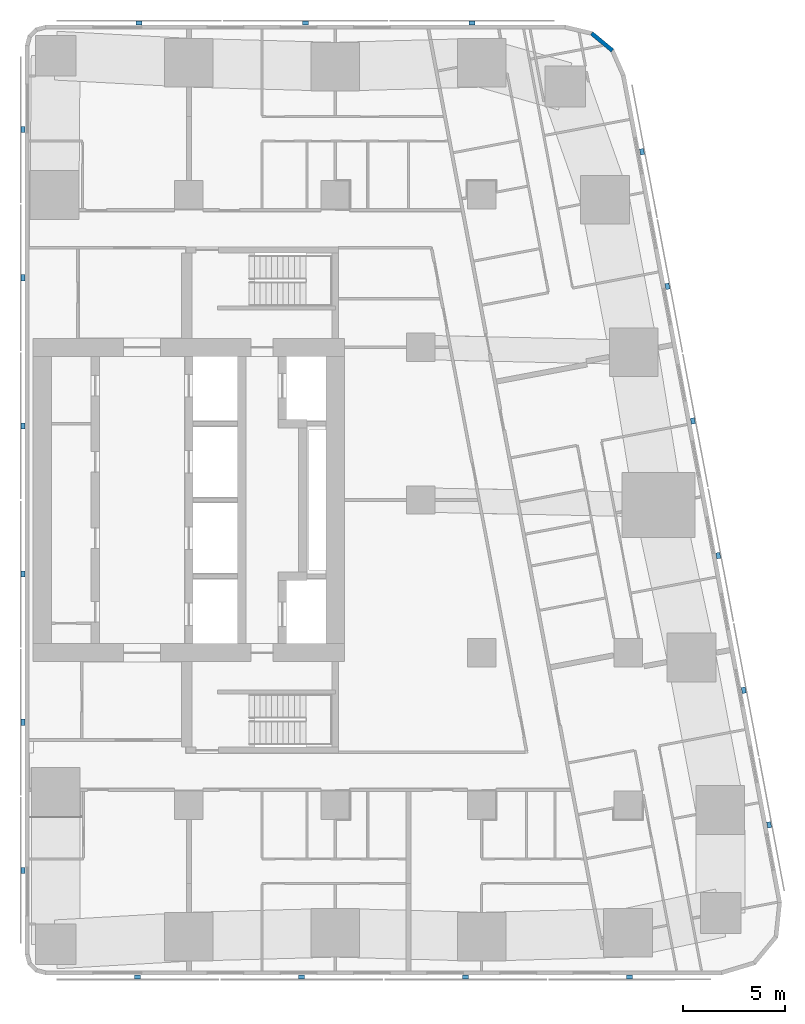
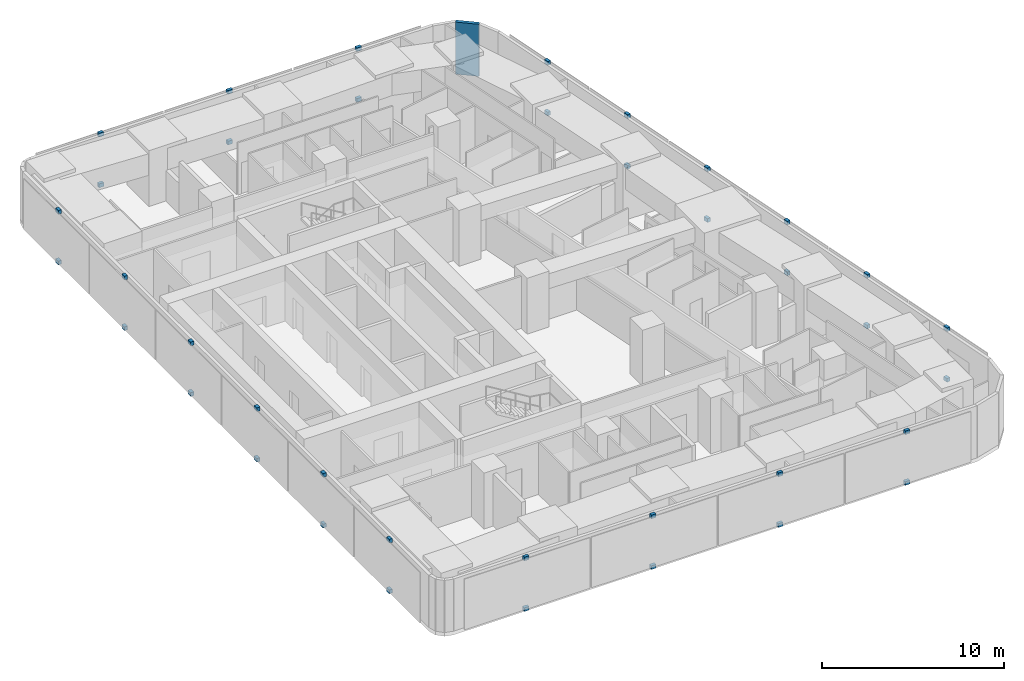
# One storey, part 8 of 10: 38 discrete accessories, 1 wall.
"""IFC4 building model written with IfcOpenShell, lengths in metres."""

from ifc_helpers import new_model, si_unit, direction, frame, frame_2d, origin, origin_2d, place, context, subcontext, project, spatial, rectangle, extrude, material, layer, layer_set, type_object, element, save


model = new_model("IFC4")

# Units and contexts
model_context = context("Model", 3, precision=1e-05, world=origin(), true_north=direction((0.0, 1.0)))
body_context = subcontext(model_context, "Body", "Model", "MODEL_VIEW")
ifc_project = project(units=[si_unit("LENGTHUNIT", "METRE"), si_unit("AREAUNIT", "SQUARE_METRE"), si_unit("VOLUMEUNIT", "CUBIC_METRE"), si_unit("PLANEANGLEUNIT", "RADIAN"), si_unit("MASSUNIT", "GRAM", prefix="KILO")], contexts=[model_context])

# Site, building, storey
site_placement = place(None, origin())
site = spatial("IfcSite", under=ifc_project, at=site_placement, CompositionType="ELEMENT")
building_placement = place(site_placement, origin())
building = spatial("IfcBuilding", under=site, at=building_placement, Name="Sheger Commons Tower", CompositionType="ELEMENT")
storey_placement = place(building_placement, frame((0.0, 0.0, 234.949951171875)))
storey = spatial("IfcBuildingStorey", under=building, at=storey_placement, Name="L60", CompositionType="ELEMENT", Elevation=234.949951171875)

# Wall
ifc_material_1 = material(Name="Rendered concrete block masonry, dark grey", Category="masonry")
ifc_layer = layer(ifc_material_1, 0.199951171875)
ifc_layer_set = layer_set([ifc_layer], Name="FACADE WALL 200")
wall_type = type_object("IfcWallType", Name="FACADE WALL 200", PredefinedType="SOLIDWALL", material=ifc_layer_set)
wall_placement = place(storey_placement, frame((42.427001953125, 44.59912109375, 0.0), z_axis=(0.0, 0.0, 1.0), x_axis=(-0.770091412544, 0.637933551655, 0.0)))
element("IfcWall", 1, at=wall_placement, inside=storey, type_object=wall_type, Name="Facade wall L60", PredefinedType="SOLIDWALL", context=body_context, shape_type="SweptSolid", body=[
    extrude(rectangle(XDim=1.324462890625, YDim=0.199951171875, at=frame_2d((0.662109375, 0.0))), origin(), (0.0, 0.0, 1.0), 3.5),
])

# Discrete accessories
ifc_material_2 = material(Name="Black painted steel bracket", Category="steel")
discrete_accessory_type = type_object("IfcDiscreteAccessoryType", Name="SCREEN BRACKET 300x200x250", PredefinedType="BRACKET", material=ifc_material_2)
for number, where, z_axis, x_axis, name in (
    (2, (19.08203125, -0.949951171875, -0.099853515625), (0.0, 0.0, 1.0), (1.0, 0.0, 0.0), "Solar screen foot bracket"),
    (3, (19.08203125, -0.949951171875, 3.300048828125), (0.0, 0.0, 1.0), (1.0, 0.0, 0.0), "Solar screen head bracket"),
    (4, (27.14599609375, -0.949951171875, -0.099853515625), (0.0, 0.0, 1.0), (1.0, 0.0, 0.0), "Solar screen foot bracket"),
    (5, (27.14599609375, -0.949951171875, 3.300048828125), (0.0, 0.0, 1.0), (1.0, 0.0, 0.0), "Solar screen head bracket"),
    (6, (35.2099609375, -0.949951171875, -0.099853515625), (0.0, 0.0, 1.0), (1.0, 0.0, 0.0), "Solar screen foot bracket"),
    (7, (35.2099609375, -0.949951171875, 3.300048828125), (0.0, 0.0, 1.0), (1.0, 0.0, 0.0), "Solar screen head bracket"),
    (8, (43.27392578125, -0.949951171875, -0.099853515625), (0.0, 0.0, 1.0), (1.0, 0.0, 0.0), "Solar screen foot bracket"),
    (9, (43.27392578125, -0.949951171875, 3.300048828125), (0.0, 0.0, 1.0), (1.0, 0.0, 0.0), "Solar screen head bracket"),
    (10, (50.134033203125, 6.527099609375, -0.099853515625), (0.0, 0.0, 1.0), (-0.185615165645, 0.982622516678, 0.0), "Solar screen foot bracket"),
    (11, (50.134033203125, 6.527099609375, 3.300048828125), (0.0, 0.0, 1.0), (-0.185615165645, 0.982622516678, 0.0), "Solar screen head bracket"),
    (12, (48.884033203125, 13.14599609375, -0.099853515625), (0.0, 0.0, 1.0), (-0.185615165645, 0.982622516678, 0.0), "Solar screen foot bracket"),
    (13, (48.884033203125, 13.14599609375, 3.300048828125), (0.0, 0.0, 1.0), (-0.185615165645, 0.982622516678, 0.0), "Solar screen head bracket"),
    (14, (47.633056640625, 19.76611328125, -0.099853515625), (0.0, 0.0, 1.0), (-0.185615165645, 0.982622516678, 0.0), "Solar screen foot bracket"),
    (15, (47.633056640625, 19.76611328125, 3.300048828125), (0.0, 0.0, 1.0), (-0.185615165645, 0.982622516678, 0.0), "Solar screen head bracket"),
    (16, (46.383056640625, 26.385009765625, -0.099853515625), (0.0, 0.0, 1.0), (-0.185615165645, 0.982622516678, 0.0), "Solar screen foot bracket"),
    (17, (46.383056640625, 26.385009765625, 3.300048828125), (0.0, 0.0, 1.0), (-0.185615165645, 0.982622516678, 0.0), "Solar screen head bracket"),
    (18, (45.133056640625, 33.0048828125, -0.099853515625), (0.0, 0.0, 1.0), (-0.185615165645, 0.982622516678, 0.0), "Solar screen foot bracket"),
    (19, (45.133056640625, 33.0048828125, 3.300048828125), (0.0, 0.0, 1.0), (-0.185615165645, 0.982622516678, 0.0), "Solar screen head bracket"),
    (20, (43.882080078125, 39.6240234375, -0.099853515625), (0.0, 0.0, 1.0), (-0.185615165645, 0.982622516678, 0.0), "Solar screen foot bracket"),
    (21, (43.882080078125, 39.6240234375, 3.300048828125), (0.0, 0.0, 1.0), (-0.185615165645, 0.982622516678, 0.0), "Solar screen head bracket"),
    (22, (35.52294921875, 45.949951171875, -0.099853515625), (0.0, 0.0, 1.0), (-1.0, 0.0, 0.0), "Solar screen foot bracket"),
    (23, (35.52294921875, 45.949951171875, 3.300048828125), (0.0, 0.0, 1.0), (-1.0, 0.0, 0.0), "Solar screen head bracket"),
    (24, (27.333984375, 45.949951171875, -0.099853515625), (0.0, 0.0, 1.0), (-1.0, 0.0, 0.0), "Solar screen foot bracket"),
    (25, (27.333984375, 45.949951171875, 3.300048828125), (0.0, 0.0, 1.0), (-1.0, 0.0, 0.0), "Solar screen head bracket"),
    (26, (19.14501953125, 45.949951171875, -0.099853515625), (0.0, 0.0, 1.0), (-1.0, 0.0, 0.0), "Solar screen foot bracket"),
    (27, (19.14501953125, 45.949951171875, 3.300048828125), (0.0, 0.0, 1.0), (-1.0, 0.0, 0.0), "Solar screen head bracket"),
    (28, (13.449951171875, 40.7080078125, -0.099853515625), (0.0, 0.0, 1.0), (0.0, -1.0, 0.0), "Solar screen foot bracket"),
    (29, (13.449951171875, 40.7080078125, 3.300048828125), (0.0, 0.0, 1.0), (0.0, -1.0, 0.0), "Solar screen head bracket"),
    (30, (13.449951171875, 33.425048828125, -0.099853515625), (0.0, 0.0, 1.0), (0.0, -1.0, 0.0), "Solar screen foot bracket"),
    (31, (13.449951171875, 33.425048828125, 3.300048828125), (0.0, 0.0, 1.0), (0.0, -1.0, 0.0), "Solar screen head bracket"),
    (32, (13.449951171875, 26.14208984375, -0.099853515625), (0.0, 0.0, 1.0), (0.0, -1.0, 0.0), "Solar screen foot bracket"),
    (33, (13.449951171875, 26.14208984375, 3.300048828125), (0.0, 0.0, 1.0), (0.0, -1.0, 0.0), "Solar screen head bracket"),
    (34, (13.449951171875, 18.85791015625, -0.099853515625), (0.0, 0.0, 1.0), (0.0, -1.0, 0.0), "Solar screen foot bracket"),
    (35, (13.449951171875, 18.85791015625, 3.300048828125), (0.0, 0.0, 1.0), (0.0, -1.0, 0.0), "Solar screen head bracket"),
    (36, (13.449951171875, 11.574951171875, -0.099853515625), (0.0, 0.0, 1.0), (0.0, -1.0, 0.0), "Solar screen foot bracket"),
    (37, (13.449951171875, 11.574951171875, 3.300048828125), (0.0, 0.0, 1.0), (0.0, -1.0, 0.0), "Solar screen head bracket"),
    (38, (13.449951171875, 4.2919921875, -0.099853515625), (0.0, 0.0, 1.0), (0.0, -1.0, 0.0), "Solar screen foot bracket"),
    (39, (13.449951171875, 4.2919921875, 3.300048828125), (0.0, 0.0, 1.0), (0.0, -1.0, 0.0), "Solar screen head bracket"),
):
    element("IfcDiscreteAccessory", number, at=place(storey_placement, frame(where, z_axis=z_axis, x_axis=x_axis)), inside=storey, type_object=discrete_accessory_type, Name=name, PredefinedType="BRACKET", context=body_context, shape_type="SweptSolid", body=[
        extrude(rectangle(XDim=0.300048828125, YDim=0.199951171875, at=origin_2d()), origin(), (0.0, 0.0, 1.0), 0.25),
    ])

save(model, "model.ifc")
